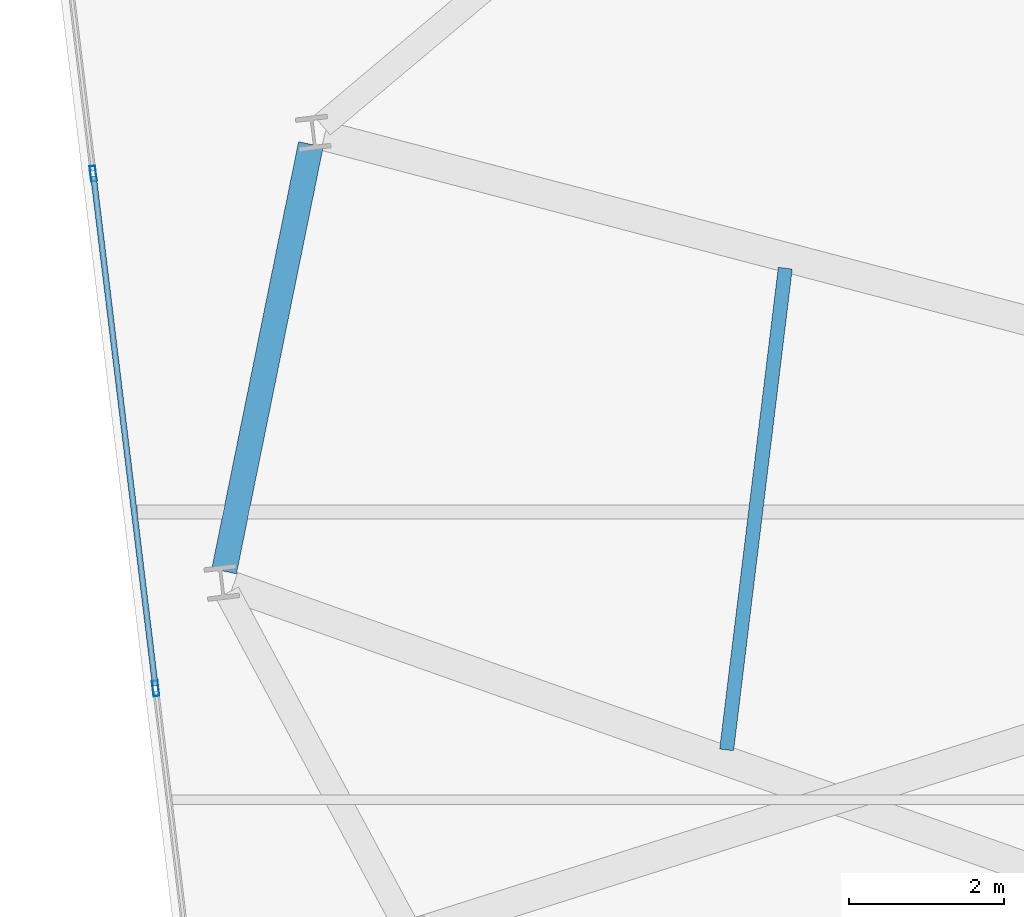
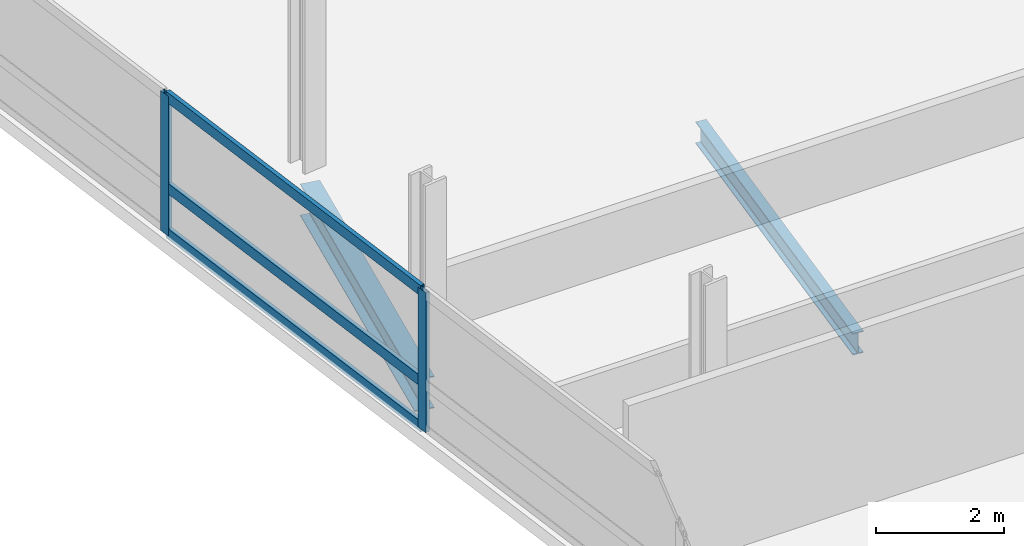
# One storey, part 6 of 22: 5 members, 2 beams, 1 element without a shape of its own.
"""IFC4 building model written with IfcOpenShell, lengths in metres."""

from ifc_helpers import new_model, si_unit, direction, frame, origin, origin_2d, place, context, subcontext, project, spatial, hollow_rectangle, i_section, extrude, material, layer, layer_set, material_profile, profile_set, type_object, element, aggregate, save


model = new_model("IFC4")

# Units and contexts
model_context = context("Model", 3, precision=1e-05, world=origin(), true_north=direction((0.0, 1.0)))
body_context = subcontext(model_context, "Body", "Model", "MODEL_VIEW")
ifc_project = project(units=[si_unit("LENGTHUNIT", "METRE"), si_unit("AREAUNIT", "SQUARE_METRE"), si_unit("VOLUMEUNIT", "CUBIC_METRE"), si_unit("PLANEANGLEUNIT", "RADIAN"), si_unit("MASSUNIT", "GRAM", prefix="KILO")], contexts=[model_context])

# Site, building, storey
site_placement = place(None, origin())
site = spatial("IfcSite", under=ifc_project, at=site_placement, CompositionType="ELEMENT")
building_placement = place(site_placement, origin())
building = spatial("IfcBuilding", under=site, at=building_placement, Name="Varnelok Gate Tower", CompositionType="ELEMENT")
storey_placement = place(building_placement, frame((0.0, 0.0, 204.199951171875)))
storey = spatial("IfcBuildingStorey", under=building, at=storey_placement, Name="L52", CompositionType="ELEMENT", Elevation=204.199951171875)

# Beams
ifc_material_1 = material(Name="Structural Steel ASTM A992 Grade 50", Category="steel")
ifc_material_profile_1 = material_profile(ifc_material_1, i_section(OverallWidth=0.180908203125, OverallDepth=0.4169921875, WebThickness=0.010986328125, FlangeThickness=0.018310546875, FilletRadius=0.013916015625, at=origin_2d()), Name="W16X57")
ifc_profile_set_1 = profile_set([ifc_material_profile_1], Name="Structural Steel ASTM A992 Grade 50")
beam_type_1 = type_object("IfcBeamType", Name="BM-JST-W16X57", PredefinedType="JOIST", material=ifc_profile_set_1)
beam_1_placement = place(storey_placement, frame((12.003662109375, 29.797607421875, -0.45849609375), z_axis=(-0.120822488619, -0.992674128929, 0.0), x_axis=(0.992674128929, -0.120822488619, 0.0)))
element("IfcBeam", 1, at=beam_1_placement, inside=storey, type_object=beam_type_1, Name="L52 Sector Floor Joist 11", PredefinedType="JOIST", context=body_context, shape_type="SweptSolid", body=[
    extrude(i_section(OverallWidth=0.180908203125, OverallDepth=0.4169921875, WebThickness=0.010986328125, FlangeThickness=0.018310546875, FilletRadius=0.013916015625, at=origin_2d()), origin(), (0.0, 0.0, 1.0), 6.25),
])
ifc_material_profile_2 = material_profile(ifc_material_1, i_section(OverallWidth=0.323974609375, OverallDepth=0.611083984375, WebThickness=0.0126953125, FlangeThickness=0.01904296875, FilletRadius=0.01806640625, at=origin_2d()), Name="W24X104")
ifc_profile_set_2 = profile_set([ifc_material_profile_2], Name="Structural Steel ASTM A992 Grade 50")
beam_type_2 = type_object("IfcBeamType", Name="BM-SPN-W24X104", PredefinedType="SPANDREL", material=ifc_profile_set_2)
beam_2_placement = place(storey_placement, frame((5.893310546875, 31.393798828125, -0.555419921875), z_axis=(-0.199143476404, -0.97997034435, 0.0), x_axis=(0.97997034435, -0.199143476404, 0.0)))
element("IfcBeam", 2, at=beam_2_placement, inside=storey, type_object=beam_type_2, Name="L52 Perimeter Spandrel Beam 14", PredefinedType="SPANDREL", context=body_context, shape_type="SweptSolid", body=[
    extrude(i_section(OverallWidth=0.323974609375, OverallDepth=0.611083984375, WebThickness=0.0126953125, FlangeThickness=0.01904296875, FilletRadius=0.01806640625, at=origin_2d()), origin(), (0.0, 0.0, 1.0), 5.6123046875),
])

# Curtain wall, members
ifc_material_2 = material(Name="Anodized Aluminum Alloy 6063-T6", Category="aluminium")
ifc_layer = layer(ifc_material_2, 0.179931640625)
ifc_layer_set = layer_set([ifc_layer], Name="Anodized Aluminum Alloy 6063-T6")
curtain_wall_type = type_object("IfcCurtainWallType", Name="CW4-RESIDENCE-VISION", PredefinedType="USERDEFINED", material=ifc_layer_set)
curtain_wall_placement = place(storey_placement, origin())
curtain_wall = element("IfcCurtainWall", 3, at=curtain_wall_placement, inside=storey, type_object=curtain_wall_type, Name="L52 West End Vision Curtain Wall", ObjectType="UNITISED CURTAIN WALL", PredefinedType="USERDEFINED")
ifc_material_profile_3 = material_profile(ifc_material_2, hollow_rectangle(XDim=0.074951171875, YDim=0.199951171875, WallThickness=0.00390625, at=origin_2d()), Name="ALU200X75X4")
ifc_profile_set_3 = profile_set([ifc_material_profile_3], Name="Anodized Aluminum Alloy 6063-T6")
member_type_1 = type_object("IfcMemberType", Name="CW-MULL-200", PredefinedType="MULLION", material=ifc_profile_set_3)
member_1_placement = place(storey_placement, frame((3.8935546875, 24.384521484375, 0.0), z_axis=(0.0, 0.0, 1.0), x_axis=(-0.992732188751, -0.120344511371, 0.0)))
member_1 = element("IfcMember", 4, at=member_1_placement, type_object=member_type_1, Name="CW4 mullion 4", PredefinedType="MULLION", context=body_context, shape_type="SweptSolid", body=[
    extrude(hollow_rectangle(XDim=0.074951171875, YDim=0.199951171875, WallThickness=0.00390625, at=origin_2d()), origin(), (0.0, 0.0, 1.0), 2.66015625),
])
member_2_placement = place(storey_placement, frame((3.089599609375, 31.015869140625, 0.0), z_axis=(0.0, 0.0, 1.0), x_axis=(-0.992732188751, -0.120344511371, 0.0)))
member_2 = element("IfcMember", 5, at=member_2_placement, type_object=member_type_1, Name="CW4 mullion 5", PredefinedType="MULLION", context=body_context, shape_type="SweptSolid", body=[
    extrude(hollow_rectangle(XDim=0.074951171875, YDim=0.199951171875, WallThickness=0.00390625, at=origin_2d()), origin(), (0.0, 0.0, 1.0), 2.66015625),
])
ifc_material_profile_4 = material_profile(ifc_material_2, hollow_rectangle(XDim=0.074951171875, YDim=0.199951171875, WallThickness=0.00390625, at=origin_2d()), Name="ALU200X75X4")
ifc_profile_set_4 = profile_set([ifc_material_profile_4], Name="Anodized Aluminum Alloy 6063-T6")
member_type_2 = type_object("IfcMemberType", Name="CW-TRAN-200", PredefinedType="USERDEFINED", material=ifc_profile_set_4)
member_3_placement = place(storey_placement, frame((3.88916015625, 24.421630859375, 0.03759765625), z_axis=(-0.120353445289, 0.992731105691, 0.0), x_axis=(-0.992731105691, -0.120353445289, 0.0)))
member_3 = element("IfcMember", 6, at=member_3_placement, type_object=member_type_2, Name="CW4 transom 4.1", ObjectType="TRANSOM", PredefinedType="USERDEFINED", context=body_context, shape_type="SweptSolid", body=[
    extrude(hollow_rectangle(XDim=0.074951171875, YDim=0.199951171875, WallThickness=0.00390625, at=origin_2d()), origin(), (0.0, 0.0, 1.0), 6.60498046875),
])
member_4_placement = place(storey_placement, frame((3.88916015625, 24.421630859375, 0.900146484375), z_axis=(-0.120353445289, 0.992731105691, 0.0), x_axis=(-0.992731105691, -0.120353445289, 0.0)))
member_4 = element("IfcMember", 7, at=member_4_placement, type_object=member_type_2, Name="CW4 transom 4.2", ObjectType="TRANSOM", PredefinedType="USERDEFINED", context=body_context, shape_type="SweptSolid", body=[
    extrude(hollow_rectangle(XDim=0.074951171875, YDim=0.199951171875, WallThickness=0.00390625, at=origin_2d()), origin(), (0.0, 0.0, 1.0), 6.60498046875),
])
member_5_placement = place(storey_placement, frame((3.88916015625, 24.421630859375, 2.62255859375), z_axis=(-0.120353445289, 0.992731105691, 0.0), x_axis=(-0.992731105691, -0.120353445289, 0.0)))
member_5 = element("IfcMember", 8, at=member_5_placement, type_object=member_type_2, Name="CW4 transom 4.3", ObjectType="TRANSOM", PredefinedType="USERDEFINED", context=body_context, shape_type="SweptSolid", body=[
    extrude(hollow_rectangle(XDim=0.074951171875, YDim=0.199951171875, WallThickness=0.00390625, at=origin_2d()), origin(), (0.0, 0.0, 1.0), 6.60498046875),
])
aggregate(curtain_wall, [member_1, member_2, member_3, member_4, member_5])

save(model, "model.ifc")
